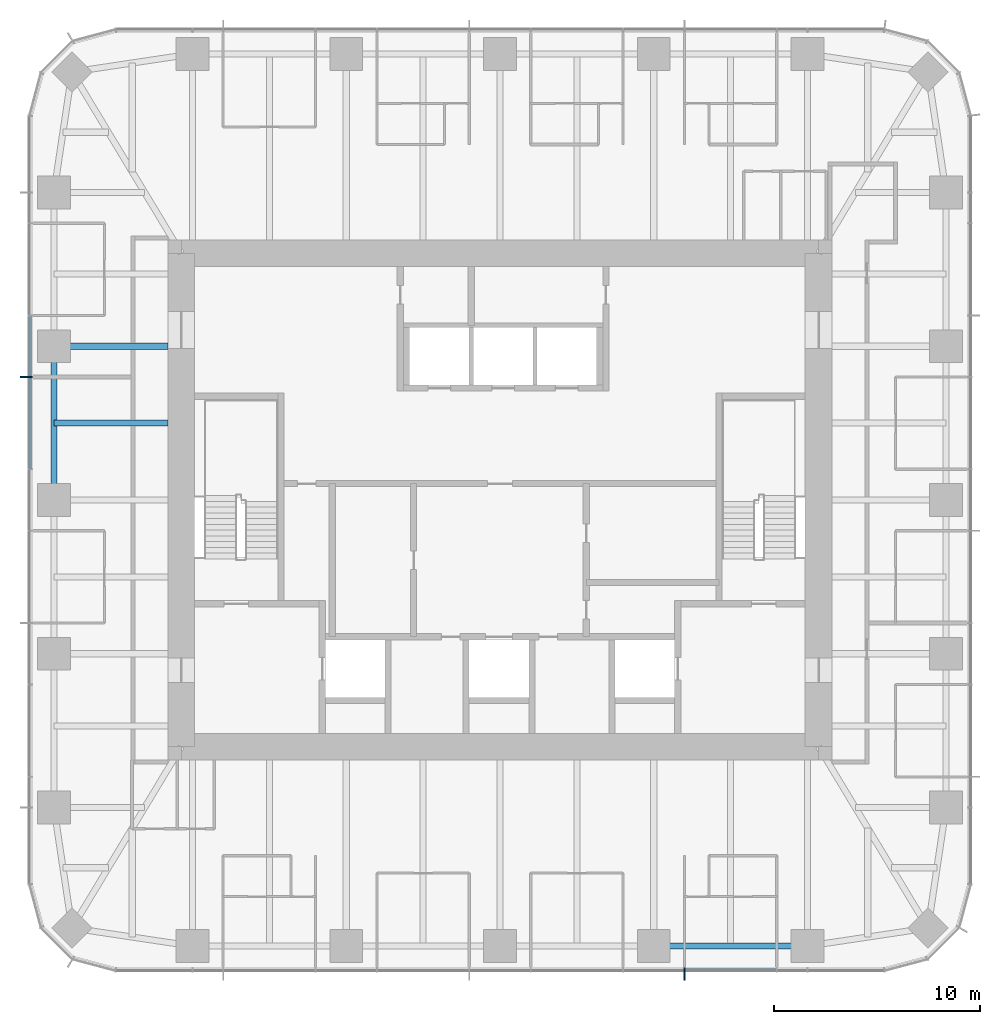
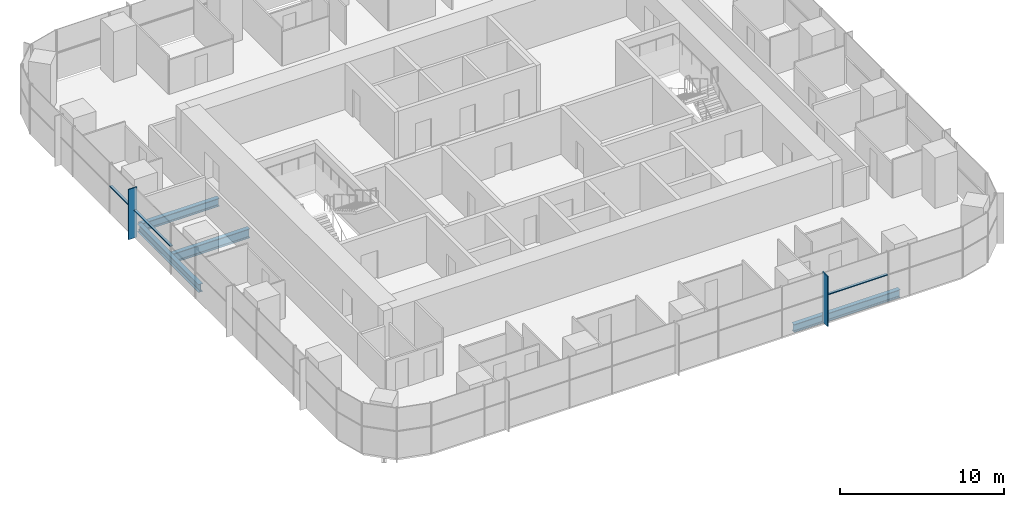
# One storey, part 3 of 13: 5 members, 4 beams, 2 elements without a shape of their own.
"""IFC4 building model written with IfcOpenShell, lengths in metres."""

from ifc_helpers import new_model, si_unit, direction, frame, origin, origin_2d, place, context, subcontext, project, spatial, rectangle, i_section, extrude, material, material_profile, profile_set, type_object, element, aggregate, save


model = new_model("IFC4")

# Units and contexts
model_context = context("Model", 3, precision=1e-05, world=origin(), true_north=direction((0.0, 1.0)))
body_context = subcontext(model_context, "Body", "Model", "MODEL_VIEW")
ifc_project = project(units=[si_unit("LENGTHUNIT", "METRE"), si_unit("AREAUNIT", "SQUARE_METRE"), si_unit("VOLUMEUNIT", "CUBIC_METRE"), si_unit("PLANEANGLEUNIT", "RADIAN"), si_unit("MASSUNIT", "GRAM", prefix="KILO")], contexts=[model_context])

# Site, building, storey
site_placement = place(None, origin())
site = spatial("IfcSite", under=ifc_project, at=site_placement, CompositionType="ELEMENT")
building_placement = place(site_placement, origin())
building = spatial("IfcBuilding", under=site, at=building_placement, Name="Khuree Lantern Residences", CompositionType="ELEMENT")
storey_placement = place(building_placement, frame((0.0, 0.0, 349.5)))
storey = spatial("IfcBuildingStorey", under=building, at=storey_placement, Name="L88", CompositionType="ELEMENT", Elevation=349.5)

# Beams
ifc_material_1 = material(Name="Steel S355", Category="steel")
ifc_material_profile_1 = material_profile(ifc_material_1, i_section(OverallWidth=0.300048828125, OverallDepth=0.68994140625, WebThickness=0.014404296875, FlangeThickness=0.027099609375, FilletRadius=0.027099609375, at=origin_2d()), Name="HE 700 A")
ifc_profile_set_1 = profile_set([ifc_material_profile_1], Name="Steel S355")
beam_type_1 = type_object("IfcBeamType", Name="B-45A SECONDARY BEAM HE 700 A", PredefinedType="BEAM", material=ifc_profile_set_1)
beam_1_placement = place(storey_placement, frame((-21.699951171875, 3.739990234375, -0.594970703125), z_axis=(1.0, 0.0, 0.0), x_axis=(0.0, 1.0, 0.0)))
element("IfcBeam", 1, at=beam_1_placement, inside=storey, type_object=beam_type_1, Name="Secondary beam W4", PredefinedType="BEAM", context=body_context, shape_type="SweptSolid", body=[
    extrude(i_section(OverallWidth=0.300048828125, OverallDepth=0.68994140625, WebThickness=0.014404296875, FlangeThickness=0.027099609375, FilletRadius=0.027099609375, at=origin_2d()), origin(), (0.0, 0.0, 1.0), 5.550048828125),
])
ifc_material_profile_2 = material_profile(ifc_material_1, i_section(OverallWidth=0.300048828125, OverallDepth=0.590087890625, WebThickness=0.012939453125, FlangeThickness=0.02490234375, FilletRadius=0.027099609375, at=origin_2d()), Name="HE 600 A")
ifc_profile_set_2 = profile_set([ifc_material_profile_2], Name="Steel S355")
beam_type_2 = type_object("IfcBeamType", Name="E-45A SPANDREL BEAM HE 600 A", PredefinedType="SPANDREL", material=ifc_profile_set_2)
for number, where, z_axis, x_axis, name in (
    (2, (14.9599609375, -21.699951171875, -0.544921875), (-1.0, 0.0, 0.0), (0.0, -1.0, 0.0), "Spandrel beam S2"),
    (3, (-21.699951171875, 0.0, -0.544921875), (0.0, 1.0, 0.0), (-1.0, 0.0, 0.0), "Spandrel beam W4"),
):
    element("IfcBeam", number, at=place(storey_placement, frame(where, z_axis=z_axis, x_axis=x_axis)), inside=storey, type_object=beam_type_2, Name=name, PredefinedType="SPANDREL", context=body_context, shape_type="SweptSolid", body=[
        extrude(i_section(OverallWidth=0.300048828125, OverallDepth=0.590087890625, WebThickness=0.012939453125, FlangeThickness=0.02490234375, FilletRadius=0.027099609375, at=origin_2d()), origin(), (0.0, 0.0, 1.0), 7.47998046875),
    ])

# Curtain wall, member
ifc_material_2 = material(Name="Bronze anodised aluminium", Category="aluminium")
curtain_wall_type = type_object("IfcCurtainWallType", Name="CW-T1 TOWER FACE CURTAIN WALL", PredefinedType="USERDEFINED", material=ifc_material_2)
curtain_wall_1_placement = place(storey_placement, origin())
curtain_wall_1 = element("IfcCurtainWall", 4, at=curtain_wall_1_placement, inside=storey, type_object=curtain_wall_type, Name="L88 WEST FACE CURTAIN WALL", ObjectType="Stick-built curtain wall", PredefinedType="USERDEFINED")
ifc_material_profile_3 = material_profile(ifc_material_2, rectangle(XDim=0.06494140625, YDim=0.60009765625, at=origin_2d()), Name="F1 65X600")
ifc_profile_set_3 = profile_set([ifc_material_profile_3], Name="Bronze anodised aluminium")
member_type_1 = type_object("IfcMemberType", Name="F1 BRONZE FIN MULLION TOWER 65X600", PredefinedType="MULLION", material=ifc_profile_set_3)
member_1_placement = place(storey_placement, frame((-23.050048828125, 5.98388671875, 0.0), z_axis=(0.0, 0.0, 1.0), x_axis=(0.0, -1.0, 0.0)))
member_1 = element("IfcMember", 5, at=member_1_placement, type_object=member_type_1, Name="L88 WEST FACE FIN MULLION 36", PredefinedType="MULLION", context=body_context, shape_type="SweptSolid", body=[
    extrude(rectangle(XDim=0.06494140625, YDim=0.60009765625, at=origin_2d()), origin(), (0.0, 0.0, 1.0), 3.75),
])

curtain_wall_2_placement = place(storey_placement, origin())
curtain_wall_2 = element("IfcCurtainWall", 6, at=curtain_wall_2_placement, inside=storey, type_object=curtain_wall_type, Name="L88 SOUTH FACE CURTAIN WALL", ObjectType="Stick-built curtain wall", PredefinedType="USERDEFINED")
member_2_placement = place(storey_placement, frame((8.97607421875, -23.050048828125, 0.0), z_axis=(0.0, 0.0, 1.0), x_axis=(1.0, 0.0, 0.0)))
member_2 = element("IfcMember", 7, at=member_2_placement, type_object=member_type_1, Name="L88 SOUTH FACE FIN MULLION 54", PredefinedType="MULLION", context=body_context, shape_type="SweptSolid", body=[
    extrude(rectangle(XDim=0.06494140625, YDim=0.60009765625, at=origin_2d()), origin(), (0.0, 0.0, 1.0), 3.75),
])

# Beam
ifc_material_profile_4 = material_profile(ifc_material_1, i_section(OverallWidth=0.300048828125, OverallDepth=0.60009765625, WebThickness=0.015380859375, FlangeThickness=0.030029296875, FilletRadius=0.027099609375, at=origin_2d()), Name="HE 600 B")
ifc_profile_set_4 = profile_set([ifc_material_profile_4], Name="Steel S355")
beam_type_3 = type_object("IfcBeamType", Name="G-45 GIRDER HE 600 B", PredefinedType="BEAM", material=ifc_profile_set_4)
beam_2_placement = place(storey_placement, frame((-21.699951171875, 7.47998046875, -0.550048828125), z_axis=(1.0, 0.0, 0.0), x_axis=(0.0, 1.0, 0.0)))
element("IfcBeam", 8, at=beam_2_placement, inside=storey, type_object=beam_type_3, Name="Girder W4", PredefinedType="BEAM", context=body_context, shape_type="SweptSolid", body=[
    extrude(i_section(OverallWidth=0.300048828125, OverallDepth=0.60009765625, WebThickness=0.015380859375, FlangeThickness=0.030029296875, FilletRadius=0.027099609375, at=origin_2d()), origin(), (0.0, 0.0, 1.0), 5.550048828125),
])

# Member
ifc_material_profile_5 = material_profile(ifc_material_2, rectangle(XDim=0.179931640625, YDim=0.06494140625, at=origin_2d()), Name="T1 180X65")
ifc_profile_set_5 = profile_set([ifc_material_profile_5], Name="Bronze anodised aluminium")
member_type_2 = type_object("IfcMemberType", Name="TRANSOM T1 TOWER 180X65", PredefinedType="USERDEFINED", material=ifc_profile_set_5)
member_3_placement = place(storey_placement, frame((-22.8701171875, 8.943603515625, 2.050048828125), z_axis=(0.0, -1.0, 0.0), x_axis=(1.0, 0.0, 0.0)))
member_3 = element("IfcMember", 9, at=member_3_placement, type_object=member_type_2, Name="L88 WEST FACE TRANSOM 35.1", ObjectType="Transom", PredefinedType="USERDEFINED", context=body_context, shape_type="SweptSolid", body=[
    extrude(rectangle(XDim=0.179931640625, YDim=0.06494140625, at=origin_2d()), origin(), (0.0, 0.0, 1.0), 2.927001953125),
])

member_4_placement = place(storey_placement, frame((-22.8701171875, 5.951416015625, 2.050048828125), z_axis=(0.0, -1.0, 0.0), x_axis=(1.0, 0.0, 0.0)))
member_4 = element("IfcMember", 10, at=member_4_placement, type_object=member_type_2, Name="L88 WEST FACE TRANSOM 36.1", ObjectType="Transom", PredefinedType="USERDEFINED", context=body_context, shape_type="SweptSolid", body=[
    extrude(rectangle(XDim=0.179931640625, YDim=0.06494140625, at=origin_2d()), origin(), (0.0, 0.0, 1.0), 4.4228515625),
])

aggregate(curtain_wall_1, [member_1, member_3, member_4])

member_5_placement = place(storey_placement, frame((9.008544921875, -22.8701171875, 2.050048828125), z_axis=(1.0, 0.0, 0.0), x_axis=(0.0, 1.0, 0.0)))
member_5 = element("IfcMember", 11, at=member_5_placement, type_object=member_type_2, Name="L88 SOUTH FACE TRANSOM 54.1", ObjectType="Transom", PredefinedType="USERDEFINED", context=body_context, shape_type="SweptSolid", body=[
    extrude(rectangle(XDim=0.179931640625, YDim=0.06494140625, at=origin_2d()), origin(), (0.0, 0.0, 1.0), 4.4228515625),
])

aggregate(curtain_wall_2, [member_2, member_5])

save(model, "model.ifc")
